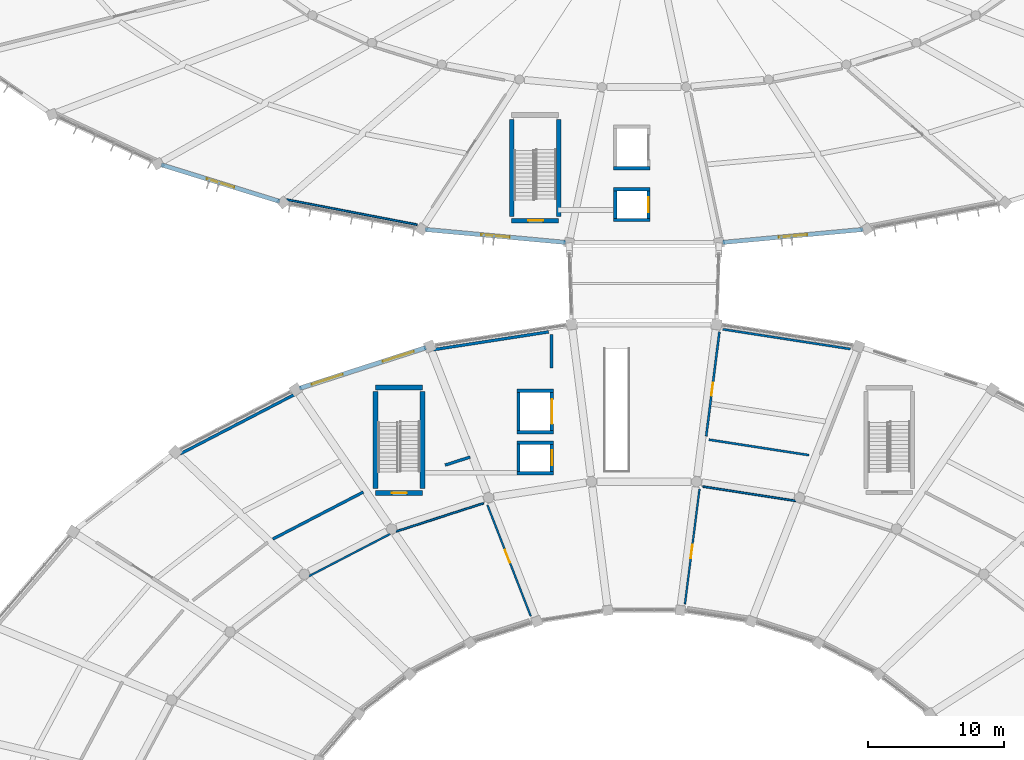
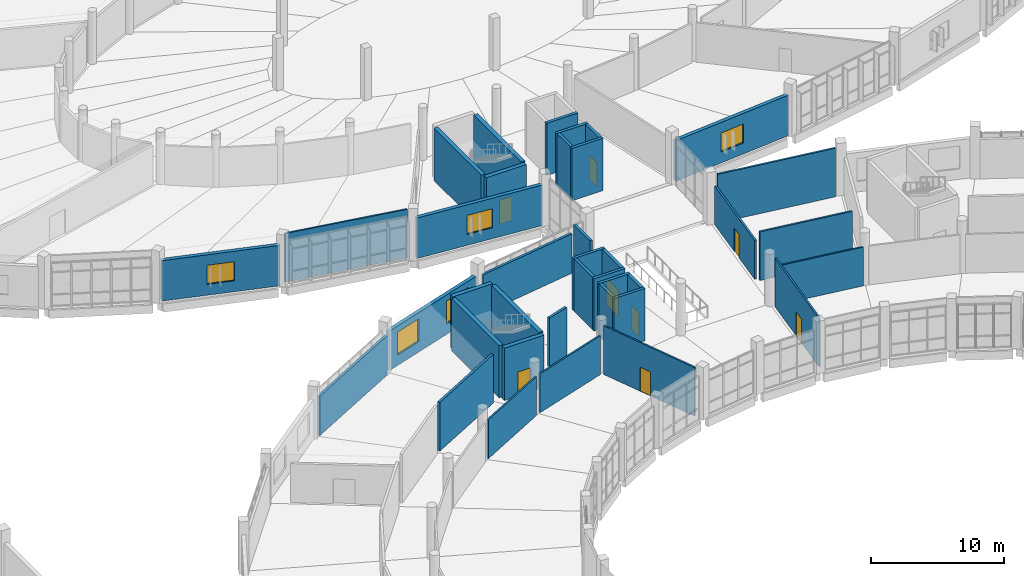
# One storey, part 120 of 179: 38 walls, 8 doors, 5 windows, 13 openings.
"""IFC4 building model written with IfcOpenShell, lengths in metres."""

from ifc_helpers import new_model, si_unit, direction, frame, frame_2d, origin, place, context, subcontext, project, spatial, rectangle, extrude, material, layer, layer_set, type_object, element, fill, save


model = new_model("IFC4")

# Units and contexts
model_context = context("Model", 3, precision=1e-05, world=origin(), true_north=direction((0.0, 1.0)))
body_context = subcontext(model_context, "Body", "Model", "MODEL_VIEW")
ifc_project = project(units=[si_unit("LENGTHUNIT", "METRE"), si_unit("AREAUNIT", "SQUARE_METRE"), si_unit("VOLUMEUNIT", "CUBIC_METRE"), si_unit("PLANEANGLEUNIT", "RADIAN"), si_unit("MASSUNIT", "GRAM", prefix="KILO")], contexts=[model_context])

# Site, building, storey
site_placement = place(None, origin())
site = spatial("IfcSite", under=ifc_project, at=site_placement, CompositionType="ELEMENT")
building_placement = place(site_placement, origin())
building = spatial("IfcBuilding", under=site, at=building_placement, Name="Corvandel Quay Wholesale Market", CompositionType="ELEMENT")
storey_placement = place(building_placement, frame((0.0, 0.0, 6.0)))
storey = spatial("IfcBuildingStorey", under=building, at=storey_placement, Name="L01", CompositionType="ELEMENT", Elevation=6.0)

# Wall, opening, door
ifc_material_1 = material(Name="Concrete C40/50", Category="concrete")
ifc_layer_1 = layer(ifc_material_1, 0.35009765625)
ifc_layer_set_1 = layer_set([ifc_layer_1], Name="Concrete C40/50")
wall_type_1 = type_object("IfcWallType", Name="Core Shear Wall SW01 350", PredefinedType="SHEAR", material=ifc_layer_set_1)
wall_1_placement = place(storey_placement, frame((94.27490234375, 71.625, 0.0), z_axis=(0.0, 0.0, 1.0), x_axis=(1.0, 0.0, 0.0)))
wall_1 = element("IfcWall", 1, at=wall_1_placement, inside=storey, type_object=wall_type_1, Name="Shear Wall IW-0005", PredefinedType="SHEAR", context=body_context, shape_type="SweptSolid", body=[
    extrude(rectangle(XDim=3.4501953125, YDim=0.35009765625, at=frame_2d((1.72509765625, 0.0))), origin(), (0.0, 0.0, 1.0), 4.800048828125),
])
opening_1_placement = place(wall_1_placement, frame((1.199951171875, 0.0, 0.0)))
opening_1 = element("IfcOpeningElement", 2, at=opening_1_placement, cuts=wall_1, Name="Opening L01-D002", PredefinedType="OPENING", context=body_context, shape_type="SweptSolid", body=[
    extrude(rectangle(XDim=1.10009765625, YDim=2.199951171875, at=frame_2d((0.550048828125, 1.10009765625))), frame((0.0, 0.18505859375, 0.0), z_axis=(0.0, -1.0, 0.0), x_axis=(1.0, 0.0, 0.0)), (0.0, 0.0, 1.0), 0.3701171875),
])
ifc_material_2 = material(Name="Galvanised fire-rated hollow steel", Category="steel")
door_type_1 = type_object("IfcDoorType", Name="Exit Stair Fire Door ID02 1100x2200R", OperationType="SINGLE_SWING_RIGHT", PredefinedType="DOOR", material=ifc_material_2)
door_1_placement = place(opening_1_placement, origin())
door_1 = element("IfcDoor", 3, at=door_1_placement, inside=storey, type_object=door_type_1, Name="Exit Stair Door SH01-L01", OperationType="SINGLE_SWING_RIGHT", OverallHeight=2.199951171875, OverallWidth=1.10009765625, PredefinedType="DOOR", context=body_context, shape_type="SweptSolid", body=[
    extrude(rectangle(XDim=1.10009765625, YDim=2.199951171875, at=frame_2d((0.550048828125, 1.10009765625))), frame((0.0, 0.02490234375, 0.0), z_axis=(0.0, -1.0, 0.0), x_axis=(1.0, 0.0, 0.0)), (0.0, 0.0, 1.0), 0.050048828125),
])
fill(opening_1, door_1)

# Walls
wall_2_placement = place(storey_placement, frame((94.27490234375, 79.375, 0.0), z_axis=(0.0, 0.0, 1.0), x_axis=(1.0, 0.0, 0.0)))
element("IfcWall", 4, at=wall_2_placement, inside=storey, type_object=wall_type_1, Name="Shear Wall IW-0006", PredefinedType="SHEAR", context=body_context, shape_type="SweptSolid", body=[
    extrude(rectangle(XDim=3.4501953125, YDim=0.35009765625, at=frame_2d((1.72509765625, 0.0))), origin(), (0.0, 0.0, 1.0), 4.800048828125),
])
for number, where, z_axis, x_axis, name in (
    (5, (94.27490234375, 71.93994140625, 0.0), (0.0, 0.0, 1.0), (0.0, 1.0, 0.0), "Shear Wall IW-0007"),
    (6, (97.72509765625, 71.93994140625, 0.0), (0.0, 0.0, 1.0), (0.0, 1.0, 0.0), "Shear Wall IW-0008"),
):
    element("IfcWall", number, at=place(storey_placement, frame(where, z_axis=z_axis, x_axis=x_axis)), inside=storey, type_object=wall_type_1, Name=name, PredefinedType="SHEAR", context=body_context, shape_type="SweptSolid", body=[
        extrude(rectangle(XDim=7.1201171875, YDim=0.35009765625, at=frame_2d((3.56005859375, 0.0))), origin(), (0.0, 0.0, 1.0), 4.800048828125),
    ])

# Wall, opening, door
wall_3_placement = place(storey_placement, frame((104.27490234375, 91.625, 0.0), z_axis=(0.0, 0.0, 1.0), x_axis=(1.0, 0.0, 0.0)))
wall_3 = element("IfcWall", 7, at=wall_3_placement, inside=storey, type_object=wall_type_1, Name="Shear Wall IW-0053", PredefinedType="SHEAR", context=body_context, shape_type="SweptSolid", body=[
    extrude(rectangle(XDim=3.4501953125, YDim=0.35009765625, at=frame_2d((1.72509765625, 0.0))), origin(), (0.0, 0.0, 1.0), 4.800048828125),
])
opening_2_placement = place(wall_3_placement, frame((1.199951171875, 0.0, 0.0)))
opening_2 = element("IfcOpeningElement", 8, at=opening_2_placement, cuts=wall_3, Name="Opening L01-D006", PredefinedType="OPENING", context=body_context, shape_type="SweptSolid", body=[
    extrude(rectangle(XDim=1.10009765625, YDim=2.199951171875, at=frame_2d((0.550048828125, 1.10009765625))), frame((0.0, 0.18505859375, 0.0), z_axis=(0.0, -1.0, 0.0), x_axis=(1.0, 0.0, 0.0)), (0.0, 0.0, 1.0), 0.3701171875),
])
door_2_placement = place(opening_2_placement, origin())
door_2 = element("IfcDoor", 9, at=door_2_placement, inside=storey, type_object=door_type_1, Name="Exit Stair Door SH05-L01", OperationType="SINGLE_SWING_RIGHT", OverallHeight=2.199951171875, OverallWidth=1.10009765625, PredefinedType="DOOR", context=body_context, shape_type="SweptSolid", body=[
    extrude(rectangle(XDim=1.10009765625, YDim=2.199951171875, at=frame_2d((0.550048828125, 1.10009765625))), frame((0.0, 0.02490234375, 0.0), z_axis=(0.0, -1.0, 0.0), x_axis=(1.0, 0.0, 0.0)), (0.0, 0.0, 1.0), 0.050048828125),
])
fill(opening_2, door_2)

# Walls
for number, where, z_axis, x_axis, name in (
    (10, (104.27490234375, 91.93994140625, 0.0), (0.0, 0.0, 1.0), (0.0, 1.0, 0.0), "Shear Wall IW-0055"),
    (11, (107.72509765625, 91.93994140625, 0.0), (0.0, 0.0, 1.0), (0.0, 1.0, 0.0), "Shear Wall IW-0056"),
):
    element("IfcWall", number, at=place(storey_placement, frame(where, z_axis=z_axis, x_axis=x_axis)), inside=storey, type_object=wall_type_1, Name=name, PredefinedType="SHEAR", context=body_context, shape_type="SweptSolid", body=[
        extrude(rectangle(XDim=7.1201171875, YDim=0.35009765625, at=frame_2d((3.56005859375, 0.0))), origin(), (0.0, 0.0, 1.0), 4.800048828125),
    ])
ifc_material_3 = material(Name="Gypsum-clad steel stud framing", Category="steel")
ifc_layer_2 = layer(ifc_material_3, 0.2099609375)
ifc_layer_set_2 = layer_set([ifc_layer_2], Name="Gypsum-clad steel stud framing")
wall_type_2 = type_object("IfcWallType", Name="Corridor Rated Partition PT02 210", PredefinedType="PARTITIONING", material=ifc_layer_set_2)
wall_4_placement = place(storey_placement, frame((79.92431640625, 74.488525390625, 0.0), z_axis=(0.0, 0.0, 1.0), x_axis=(0.887294814005, 0.461202681084, 0.0)))
element("IfcWall", 12, at=wall_4_placement, inside=storey, type_object=wall_type_2, Name="Interior Wall IW-0453", PredefinedType="PARTITIONING", context=body_context, shape_type="SweptSolid", body=[
    extrude(rectangle(XDim=9.4775390625, YDim=0.2099609375, at=frame_2d((4.73876953125, 0.0))), origin(), (0.0, 0.0, 1.0), 3.610107421875),
])
wall_5_placement = place(storey_placement, frame((98.531494140625, 82.146484375, 0.0), z_axis=(0.0, 0.0, 1.0), x_axis=(0.988246425199, 0.152869235234, 0.0)))
element("IfcWall", 13, at=wall_5_placement, inside=storey, type_object=wall_type_2, Name="Interior Wall IW-0454", PredefinedType="PARTITIONING", context=body_context, shape_type="SweptSolid", body=[
    extrude(rectangle(XDim=8.561767578125, YDim=0.2099609375, at=frame_2d((4.28076171875, 0.0))), origin(), (0.0, 0.0, 1.0), 3.610107421875),
])
wall_6_placement = place(storey_placement, frame((107.2099609375, 83.26904296875, 0.0), z_axis=(0.0, 0.0, 1.0), x_axis=(0.0, -1.0, 0.0)))
element("IfcWall", 14, at=wall_6_placement, inside=storey, type_object=wall_type_2, Name="Interior Wall IW-0455", PredefinedType="PARTITIONING", context=body_context, shape_type="SweptSolid", body=[
    extrude(rectangle(XDim=2.47412109375, YDim=0.2099609375, at=frame_2d((1.237060546875, 0.0))), origin(), (0.0, 0.0, 1.0), 4.4599609375),
])
wall_7_placement = place(storey_placement, frame((101.220703125, 74.260498046875, 0.0), z_axis=(0.0, 0.0, 1.0), x_axis=(-0.951935015799, -0.306300058268, 0.0)))
element("IfcWall", 15, at=wall_7_placement, inside=storey, type_object=wall_type_2, Name="Interior Wall IW-0456", PredefinedType="PARTITIONING", context=body_context, shape_type="SweptSolid", body=[
    extrude(rectangle(XDim=1.928955078125, YDim=0.2099609375, at=frame_2d((0.96435546875, 0.0))), origin(), (0.0, 0.0, 1.0), 4.4599609375),
])
wall_8_placement = place(storey_placement, frame((93.372802734375, 71.689453125, 0.0), z_axis=(0.0, 0.0, 1.0), x_axis=(-0.887313324446, -0.461167067623, 0.0)))
element("IfcWall", 16, at=wall_8_placement, inside=storey, type_object=wall_type_2, Name="Interior Wall IW-0457", PredefinedType="PARTITIONING", context=body_context, shape_type="SweptSolid", body=[
    extrude(rectangle(XDim=7.494140625, YDim=0.2099609375, at=frame_2d((3.7470703125, 0.0))), origin(), (0.0, 0.0, 1.0), 4.4599609375),
])

# Wall, opening, window
ifc_material_4 = material(Name="Marine precast concrete C45/55", Category="concrete")
ifc_layer_3 = layer(ifc_material_4, 0.31005859375)
ifc_layer_set_3 = layer_set([ifc_layer_3], Name="Marine precast concrete C45/55")
wall_type_3 = type_object("IfcWallType", Name="Fish Hall Marine Precast Wall EW06 310", PredefinedType="SOLIDWALL", material=ifc_layer_set_3)
wall_9_placement = place(storey_placement, frame((78.53125, 95.73291015625, 0.0), z_axis=(0.0, 0.0, 1.0), x_axis=(0.955105922322, -0.296264539128, 0.0)))
wall_9 = element("IfcWall", 17, at=wall_9_placement, inside=storey, type_object=wall_type_3, Name="Exterior Wall EW-0132", PredefinedType="SOLIDWALL", context=body_context, shape_type="SweptSolid", body=[
    extrude(rectangle(XDim=9.123291015625, YDim=0.31005859375, at=frame_2d((4.5615234375, 0.0))), origin(), (0.0, 0.0, 1.0), 3.7099609375),
])
opening_3_placement = place(wall_9_placement, frame((3.511962890625, 0.0, 1.0)))
opening_3 = element("IfcOpeningElement", 18, at=opening_3_placement, cuts=wall_9, Name="Opening L01-W039", PredefinedType="OPENING", context=body_context, shape_type="SweptSolid", body=[
    extrude(rectangle(XDim=2.10009765625, YDim=1.75, at=frame_2d((1.050048828125, 0.875))), frame((0.0, 0.1650390625, 0.0), z_axis=(0.0, -1.0, 0.0), x_axis=(1.0, 0.0, 0.0)), (0.0, 0.0, 1.0), 0.330078125),
])
ifc_material_5 = material(Name="Thermally broken bronze anodised aluminium and solar-control low-E double glazing", Category="aluminium")
window_type_1 = type_object("IfcWindowType", Name="Seafood Traders Window WN09 2100x1750", PartitioningType="SINGLE_PANEL", PredefinedType="WINDOW", material=ifc_material_5)
window_1_placement = place(opening_3_placement, origin())
window_1 = element("IfcWindow", 19, at=window_1_placement, inside=storey, type_object=window_type_1, Name="Window L01-W039", OverallHeight=1.75, OverallWidth=2.10009765625, PartitioningType="SINGLE_PANEL", PredefinedType="WINDOW", context=body_context, shape_type="SweptSolid", body=[
    extrude(rectangle(XDim=2.10009765625, YDim=1.75, at=frame_2d((1.050048828125, 0.875))), frame((0.0, 0.030029296875, 0.0), z_axis=(0.0, -1.0, 0.0), x_axis=(1.0, 0.0, 0.0)), (0.0, 0.0, 1.0), 0.06005859375),
])
fill(opening_3, window_1)

wall_10_placement = place(storey_placement, frame((97.904052734375, 90.976806640625, 0.0), z_axis=(0.0, 0.0, 1.0), x_axis=(0.995766414187, -0.091919793174, 0.0)))
wall_10 = element("IfcWall", 20, at=wall_10_placement, inside=storey, type_object=wall_type_3, Name="Exterior Wall EW-0136", PredefinedType="SOLIDWALL", context=body_context, shape_type="SweptSolid", body=[
    extrude(rectangle(XDim=10.385009765625, YDim=0.31005859375, at=frame_2d((5.1923828125, 0.0))), origin(), (0.0, 0.0, 1.0), 3.7099609375),
])
opening_4_placement = place(wall_10_placement, frame((4.14208984375, 0.0, 1.0)))
opening_4 = element("IfcOpeningElement", 21, at=opening_4_placement, cuts=wall_10, Name="Opening L01-W040", PredefinedType="OPENING", context=body_context, shape_type="SweptSolid", body=[
    extrude(rectangle(XDim=2.10009765625, YDim=1.75, at=frame_2d((1.050048828125, 0.875))), frame((0.0, 0.1650390625, 0.0), z_axis=(0.0, -1.0, 0.0), x_axis=(1.0, 0.0, 0.0)), (0.0, 0.0, 1.0), 0.330078125),
])
window_2_placement = place(opening_4_placement, origin())
window_2 = element("IfcWindow", 22, at=window_2_placement, inside=storey, type_object=window_type_1, Name="Window L01-W040", OverallHeight=1.75, OverallWidth=2.10009765625, PartitioningType="SINGLE_PANEL", PredefinedType="WINDOW", context=body_context, shape_type="SweptSolid", body=[
    extrude(rectangle(XDim=2.10009765625, YDim=1.75, at=frame_2d((1.050048828125, 0.875))), frame((0.0, 0.030029296875, 0.0), z_axis=(0.0, -1.0, 0.0), x_axis=(1.0, 0.0, 0.0)), (0.0, 0.0, 1.0), 0.06005859375),
])
fill(opening_4, window_2)

wall_11_placement = place(storey_placement, frame((119.7548828125, 90.022216796875, 0.0), z_axis=(0.0, 0.0, 1.0), x_axis=(0.995766414187, 0.091919793174, 0.0)))
wall_11 = element("IfcWall", 23, at=wall_11_placement, inside=storey, type_object=wall_type_3, Name="Exterior Wall EW-0140", PredefinedType="SOLIDWALL", context=body_context, shape_type="SweptSolid", body=[
    extrude(rectangle(XDim=10.385009765625, YDim=0.31005859375, at=frame_2d((5.1923828125, 0.0))), origin(), (0.0, 0.0, 1.0), 3.7099609375),
])
opening_5_placement = place(wall_11_placement, frame((4.14208984375, 0.0, 1.0)))
opening_5 = element("IfcOpeningElement", 24, at=opening_5_placement, cuts=wall_11, Name="Opening L01-W041", PredefinedType="OPENING", context=body_context, shape_type="SweptSolid", body=[
    extrude(rectangle(XDim=2.10009765625, YDim=1.75, at=frame_2d((1.050048828125, 0.875))), frame((0.0, 0.1650390625, 0.0), z_axis=(0.0, -1.0, 0.0), x_axis=(1.0, 0.0, 0.0)), (0.0, 0.0, 1.0), 0.330078125),
])
window_3_placement = place(opening_5_placement, origin())
window_3 = element("IfcWindow", 25, at=window_3_placement, inside=storey, type_object=window_type_1, Name="Window L01-W041", OverallHeight=1.75, OverallWidth=2.10009765625, PartitioningType="SINGLE_PANEL", PredefinedType="WINDOW", context=body_context, shape_type="SweptSolid", body=[
    extrude(rectangle(XDim=2.10009765625, YDim=1.75, at=frame_2d((1.050048828125, 0.875))), frame((0.0, 0.030029296875, 0.0), z_axis=(0.0, -1.0, 0.0), x_axis=(1.0, 0.0, 0.0)), (0.0, 0.0, 1.0), 0.06005859375),
])
fill(opening_5, window_3)

# Walls
ifc_layer_4 = layer(ifc_material_1, 0.25)
ifc_layer_set_4 = layer_set([ifc_layer_4], Name="Concrete C40/50")
wall_type_4 = type_object("IfcWallType", Name="Lift Shaft Shear Wall SW03 250", PredefinedType="SHEAR", material=ifc_layer_set_4)
for number, where, z_axis, x_axis, name in (
    (26, (104.64990234375, 73.074951171875, 0.0), (0.0, 0.0, 1.0), (1.0, 0.0, 0.0), "Shear Wall IW-0245"),
    (27, (104.64990234375, 75.324951171875, 0.0), (0.0, 0.0, 1.0), (1.0, 0.0, 0.0), "Shear Wall IW-0246"),
):
    element("IfcWall", number, at=place(storey_placement, frame(where, z_axis=z_axis, x_axis=x_axis)), inside=storey, type_object=wall_type_4, Name=name, PredefinedType="SHEAR", context=body_context, shape_type="SweptSolid", body=[
        extrude(rectangle(XDim=2.7001953125, YDim=0.25, at=frame_2d((1.35009765625, 0.0))), origin(), (0.0, 0.0, 1.0), 4.800048828125),
    ])
wall_12_placement = place(storey_placement, frame((104.77490234375, 73.18994140625, 0.0), z_axis=(0.0, 0.0, 1.0), x_axis=(0.0, 1.0, 0.0)))
element("IfcWall", 28, at=wall_12_placement, inside=storey, type_object=wall_type_4, Name="Shear Wall IW-0247", PredefinedType="SHEAR", context=body_context, shape_type="SweptSolid", body=[
    extrude(rectangle(XDim=2.02001953125, YDim=0.25, at=frame_2d((1.010009765625, 0.0))), origin(), (0.0, 0.0, 1.0), 4.800048828125),
])

# Wall, opening, door
wall_13_placement = place(storey_placement, frame((107.22509765625, 73.18994140625, 0.0), z_axis=(0.0, 0.0, 1.0), x_axis=(0.0, 1.0, 0.0)))
wall_13 = element("IfcWall", 29, at=wall_13_placement, inside=storey, type_object=wall_type_4, Name="Shear Wall IW-0248", PredefinedType="SHEAR", context=body_context, shape_type="SweptSolid", body=[
    extrude(rectangle(XDim=2.02001953125, YDim=0.25, at=frame_2d((1.010009765625, 0.0))), origin(), (0.0, 0.0, 1.0), 4.800048828125),
])
opening_6_placement = place(wall_13_placement, frame((0.4599609375, 0.0, 0.0)))
opening_6 = element("IfcOpeningElement", 30, at=opening_6_placement, cuts=wall_13, Name="Opening LD-L01-022", PredefinedType="OPENING", context=body_context, shape_type="SweptSolid", body=[
    extrude(rectangle(XDim=1.10009765625, YDim=2.199951171875, at=frame_2d((0.550048828125, 1.10009765625))), frame((0.0, 0.135009765625, 0.0), z_axis=(0.0, -1.0, 0.0), x_axis=(1.0, 0.0, 0.0)), (0.0, 0.0, 1.0), 0.27001953125),
])
ifc_material_6 = material(Name="Brushed stainless steel", Category="steel")
door_type_2 = type_object("IfcDoorType", Name="Passenger Lift Landing Door LD01 1100x2200", OperationType="DOUBLE_DOOR_SLIDING", PredefinedType="DOOR", material=ifc_material_6)
door_3_placement = place(opening_6_placement, origin())
door_3 = element("IfcDoor", 31, at=door_3_placement, inside=storey, type_object=door_type_2, Name="Lift Landing Door LF-V1P1-L01", OperationType="DOUBLE_DOOR_SLIDING", OverallHeight=2.199951171875, OverallWidth=1.10009765625, PredefinedType="DOOR", context=body_context, shape_type="SweptSolid", body=[
    extrude(rectangle(XDim=1.10009765625, YDim=2.199951171875, at=frame_2d((0.550048828125, 1.10009765625))), frame((0.0, 0.02490234375, 0.0), z_axis=(0.0, -1.0, 0.0), x_axis=(1.0, 0.0, 0.0)), (0.0, 0.0, 1.0), 0.050048828125),
])
fill(opening_6, door_3)

# Walls
for number, where, z_axis, x_axis, name in (
    (32, (104.64990234375, 76.074951171875, 0.0), (0.0, 0.0, 1.0), (1.0, 0.0, 0.0), "Shear Wall IW-0257"),
    (33, (104.64990234375, 79.125, 0.0), (0.0, 0.0, 1.0), (1.0, 0.0, 0.0), "Shear Wall IW-0258"),
):
    element("IfcWall", number, at=place(storey_placement, frame(where, z_axis=z_axis, x_axis=x_axis)), inside=storey, type_object=wall_type_4, Name=name, PredefinedType="SHEAR", context=body_context, shape_type="SweptSolid", body=[
        extrude(rectangle(XDim=2.7001953125, YDim=0.25, at=frame_2d((1.35009765625, 0.0))), origin(), (0.0, 0.0, 1.0), 4.800048828125),
    ])
wall_14_placement = place(storey_placement, frame((104.77490234375, 76.18994140625, 0.0), z_axis=(0.0, 0.0, 1.0), x_axis=(0.0, 1.0, 0.0)))
element("IfcWall", 34, at=wall_14_placement, inside=storey, type_object=wall_type_4, Name="Shear Wall IW-0259", PredefinedType="SHEAR", context=body_context, shape_type="SweptSolid", body=[
    extrude(rectangle(XDim=2.820068359375, YDim=0.25, at=frame_2d((1.41015625, 0.0))), origin(), (0.0, 0.0, 1.0), 4.800048828125),
])

# Wall, opening, door
wall_15_placement = place(storey_placement, frame((107.22509765625, 76.18994140625, 0.0), z_axis=(0.0, 0.0, 1.0), x_axis=(0.0, 1.0, 0.0)))
wall_15 = element("IfcWall", 35, at=wall_15_placement, inside=storey, type_object=wall_type_4, Name="Shear Wall IW-0260", PredefinedType="SHEAR", context=body_context, shape_type="SweptSolid", body=[
    extrude(rectangle(XDim=2.820068359375, YDim=0.25, at=frame_2d((1.41015625, 0.0))), origin(), (0.0, 0.0, 1.0), 4.800048828125),
])
opening_7_placement = place(wall_15_placement, frame((0.510009765625, 0.0, 0.0)))
opening_7 = element("IfcOpeningElement", 36, at=opening_7_placement, cuts=wall_15, Name="Opening LD-L01-023", PredefinedType="OPENING", context=body_context, shape_type="SweptSolid", body=[
    extrude(rectangle(XDim=1.800048828125, YDim=2.39990234375, at=frame_2d((0.89990234375, 1.199951171875))), frame((0.0, 0.135009765625, 0.0), z_axis=(0.0, -1.0, 0.0), x_axis=(1.0, 0.0, 0.0)), (0.0, 0.0, 1.0), 0.27001953125),
])
ifc_material_7 = material(Name="Heavy-duty brushed stainless steel", Category="steel")
door_type_3 = type_object("IfcDoorType", Name="Goods Lift Landing Door LD02 1800x2400", OperationType="DOUBLE_DOOR_SLIDING", PredefinedType="DOOR", material=ifc_material_7)
door_4_placement = place(opening_7_placement, origin())
door_4 = element("IfcDoor", 37, at=door_4_placement, inside=storey, type_object=door_type_3, Name="Lift Landing Door LF-V1F1-L01", OperationType="DOUBLE_DOOR_SLIDING", OverallHeight=2.39990234375, OverallWidth=1.800048828125, PredefinedType="DOOR", context=body_context, shape_type="SweptSolid", body=[
    extrude(rectangle(XDim=1.800048828125, YDim=2.39990234375, at=frame_2d((0.89990234375, 1.199951171875))), frame((0.0, 0.02490234375, 0.0), z_axis=(0.0, -1.0, 0.0), x_axis=(1.0, 0.0, 0.0)), (0.0, 0.0, 1.0), 0.050048828125),
])
fill(opening_7, door_4)

# Walls
for number, where, z_axis, x_axis, name in (
    (38, (111.75, 91.675048828125, 0.0), (0.0, 0.0, 1.0), (1.0, 0.0, 0.0), "Shear Wall IW-0269"),
    (39, (111.75, 93.925048828125, 0.0), (0.0, 0.0, 1.0), (1.0, 0.0, 0.0), "Shear Wall IW-0270"),
):
    element("IfcWall", number, at=place(storey_placement, frame(where, z_axis=z_axis, x_axis=x_axis)), inside=storey, type_object=wall_type_4, Name=name, PredefinedType="SHEAR", context=body_context, shape_type="SweptSolid", body=[
        extrude(rectangle(XDim=2.699951171875, YDim=0.25, at=frame_2d((1.35009765625, 0.0))), origin(), (0.0, 0.0, 1.0), 4.800048828125),
    ])
wall_16_placement = place(storey_placement, frame((111.875, 91.7900390625, 0.0), z_axis=(0.0, 0.0, 1.0), x_axis=(0.0, 1.0, 0.0)))
element("IfcWall", 40, at=wall_16_placement, inside=storey, type_object=wall_type_4, Name="Shear Wall IW-0271", PredefinedType="SHEAR", context=body_context, shape_type="SweptSolid", body=[
    extrude(rectangle(XDim=2.02001953125, YDim=0.25, at=frame_2d((1.010009765625, 0.0))), origin(), (0.0, 0.0, 1.0), 4.800048828125),
])

# Wall, opening, door
wall_17_placement = place(storey_placement, frame((114.324951171875, 91.7900390625, 0.0), z_axis=(0.0, 0.0, 1.0), x_axis=(0.0, 1.0, 0.0)))
wall_17 = element("IfcWall", 41, at=wall_17_placement, inside=storey, type_object=wall_type_4, Name="Shear Wall IW-0272", PredefinedType="SHEAR", context=body_context, shape_type="SweptSolid", body=[
    extrude(rectangle(XDim=2.02001953125, YDim=0.25, at=frame_2d((1.010009765625, 0.0))), origin(), (0.0, 0.0, 1.0), 4.800048828125),
])
opening_8_placement = place(wall_17_placement, frame((0.4599609375, 0.0, 0.0)))
opening_8 = element("IfcOpeningElement", 42, at=opening_8_placement, cuts=wall_17, Name="Opening LD-L01-024", PredefinedType="OPENING", context=body_context, shape_type="SweptSolid", body=[
    extrude(rectangle(XDim=1.10009765625, YDim=2.199951171875, at=frame_2d((0.550048828125, 1.10009765625))), frame((0.0, 0.135009765625, 0.0), z_axis=(0.0, -1.0, 0.0), x_axis=(1.0, 0.0, 0.0)), (0.0, 0.0, 1.0), 0.27001953125),
])
door_5_placement = place(opening_8_placement, origin())
door_5 = element("IfcDoor", 43, at=door_5_placement, inside=storey, type_object=door_type_2, Name="Lift Landing Door LF-V2P1-L01", OperationType="DOUBLE_DOOR_SLIDING", OverallHeight=2.199951171875, OverallWidth=1.10009765625, PredefinedType="DOOR", context=body_context, shape_type="SweptSolid", body=[
    extrude(rectangle(XDim=1.10009765625, YDim=2.199951171875, at=frame_2d((0.550048828125, 1.10009765625))), frame((0.0, 0.02490234375, 0.0), z_axis=(0.0, -1.0, 0.0), x_axis=(1.0, 0.0, 0.0)), (0.0, 0.0, 1.0), 0.050048828125),
])
fill(opening_8, door_5)

# Wall
wall_18_placement = place(storey_placement, frame((111.75, 95.47509765625, 0.0), z_axis=(0.0, 0.0, 1.0), x_axis=(1.0, 0.0, 0.0)))
element("IfcWall", 44, at=wall_18_placement, inside=storey, type_object=wall_type_4, Name="Shear Wall IW-0281", PredefinedType="SHEAR", context=body_context, shape_type="SweptSolid", body=[
    extrude(rectangle(XDim=2.699951171875, YDim=0.25, at=frame_2d((1.35009765625, 0.0))), origin(), (0.0, 0.0, 1.0), 4.800048828125),
])

# Wall, opening, door
ifc_material_8 = material(Name="Double-layer acoustic gypsum stud partition")
ifc_layer_5 = layer(ifc_material_8, 0.139892578125)
ifc_layer_set_5 = layer_set([ifc_layer_5], Name="Double-layer acoustic gypsum stud partition")
wall_type_5 = type_object("IfcWallType", Name="Office Acoustic Partition PT07 140", PredefinedType="PARTITIONING", material=ifc_layer_set_5)
wall_19_placement = place(storey_placement, frame((116.998779296875, 63.453369140625, 0.0), z_axis=(0.0, 0.0, 1.0), x_axis=(0.125694717308, 0.992068968389, 0.0)))
wall_19 = element("IfcWall", 45, at=wall_19_placement, inside=storey, type_object=wall_type_5, Name="Interior Wall IW-0496", PredefinedType="PARTITIONING", context=body_context, shape_type="SweptSolid", body=[
    extrude(rectangle(XDim=8.52490234375, YDim=0.139892578125, at=frame_2d((4.262451171875, 0.0))), origin(), (0.0, 0.0, 1.0), 4.4599609375),
])
opening_9_placement = place(wall_19_placement, frame((3.4130859375, 0.0, 0.0)))
opening_9 = element("IfcOpeningElement", 46, at=opening_9_placement, cuts=wall_19, Name="Opening L01-D038", PredefinedType="OPENING", context=body_context, shape_type="SweptSolid", body=[
    extrude(rectangle(XDim=1.0, YDim=2.199951171875, at=frame_2d((0.5, 1.10009765625))), frame((0.0, 0.079833984375, 0.0), z_axis=(0.0, -1.0, 0.0), x_axis=(1.0, 0.0, 0.0)), (0.0, 0.0, 1.0), 0.159912109375),
])
ifc_material_9 = material(Name="Stained oak solid-core acoustic timber", Category="wood")
door_type_4 = type_object("IfcDoorType", Name="Office Entry Door ID10 1000x2200R", OperationType="SINGLE_SWING_RIGHT", PredefinedType="DOOR", material=ifc_material_9)
door_6_placement = place(opening_9_placement, origin())
door_6 = element("IfcDoor", 47, at=door_6_placement, inside=storey, type_object=door_type_4, Name="Upper Produce Sorting Gallery NorthEast Door", OperationType="SINGLE_SWING_RIGHT", OverallHeight=2.199951171875, OverallWidth=1.0, PredefinedType="DOOR", context=body_context, shape_type="SweptSolid", body=[
    extrude(rectangle(XDim=1.0, YDim=2.199951171875, at=frame_2d((0.5, 1.10009765625))), frame((0.0, 0.02490234375, 0.0), z_axis=(0.0, -1.0, 0.0), x_axis=(1.0, 0.0, 0.0)), (0.0, 0.0, 1.0), 0.050048828125),
])
fill(opening_9, door_6)

# Walls
wall_20_placement = place(storey_placement, frame((118.3154296875, 72.095458984375, 0.0), z_axis=(0.0, 0.0, 1.0), x_axis=(0.988254885125, -0.152814534735, 0.0)))
element("IfcWall", 48, at=wall_20_placement, inside=storey, type_object=wall_type_5, Name="Interior Wall IW-0497", PredefinedType="PARTITIONING", context=body_context, shape_type="SweptSolid", body=[
    extrude(rectangle(XDim=6.9033203125, YDim=0.139892578125, at=frame_2d((3.45166015625, 0.0))), origin(), (0.0, 0.0, 1.0), 3.56005859375),
])
wall_21_placement = place(storey_placement, frame((89.39013671875, 65.5166015625, 0.0), z_axis=(0.0, 0.0, 1.0), x_axis=(0.887339573657, 0.461116559041, 0.0)))
element("IfcWall", 49, at=wall_21_placement, inside=storey, type_object=wall_type_5, Name="Interior Wall IW-0510", PredefinedType="PARTITIONING", context=body_context, shape_type="SweptSolid", body=[
    extrude(rectangle(XDim=6.73779296875, YDim=0.139892578125, at=frame_2d((3.368896484375, 0.0))), origin(), (0.0, 0.0, 1.0), 3.56005859375),
])
wall_22_placement = place(storey_placement, frame((95.7734375, 68.79248046875, 0.0), z_axis=(0.0, 0.0, 1.0), x_axis=(0.951789962688, 0.306750496211, 0.0)))
element("IfcWall", 50, at=wall_22_placement, inside=storey, type_object=wall_type_5, Name="Interior Wall IW-0511", PredefinedType="PARTITIONING", context=body_context, shape_type="SweptSolid", body=[
    extrude(rectangle(XDim=6.7578125, YDim=0.139892578125, at=frame_2d((3.37890625, 0.0))), origin(), (0.0, 0.0, 1.0), 3.56005859375),
])

# Wall, opening, door
wall_23_placement = place(storey_placement, frame((102.494873046875, 70.72802734375, 0.0), z_axis=(0.0, 0.0, 1.0), x_axis=(0.363316951301, -0.931665601435, 0.0)))
wall_23 = element("IfcWall", 51, at=wall_23_placement, inside=storey, type_object=wall_type_5, Name="Interior Wall IW-0512", PredefinedType="PARTITIONING", context=body_context, shape_type="SweptSolid", body=[
    extrude(rectangle(XDim=8.753173828125, YDim=0.139892578125, at=frame_2d((4.37646484375, 0.0))), origin(), (0.0, 0.0, 1.0), 4.4599609375),
])
opening_10_placement = place(wall_23_placement, frame((3.527099609375, 0.0, 0.0)))
opening_10 = element("IfcOpeningElement", 52, at=opening_10_placement, cuts=wall_23, Name="Opening L01-D039", PredefinedType="OPENING", context=body_context, shape_type="SweptSolid", body=[
    extrude(rectangle(XDim=1.0, YDim=2.199951171875, at=frame_2d((0.5, 1.10009765625))), frame((0.0, 0.079833984375, 0.0), z_axis=(0.0, -1.0, 0.0), x_axis=(1.0, 0.0, 0.0)), (0.0, 0.0, 1.0), 0.159912109375),
])
door_7_placement = place(opening_10_placement, origin())
door_7 = element("IfcDoor", 53, at=door_7_placement, inside=storey, type_object=door_type_4, Name="Upper Produce Sorting Gallery NorthWest Door", OperationType="SINGLE_SWING_RIGHT", OverallHeight=2.199951171875, OverallWidth=1.0, PredefinedType="DOOR", context=body_context, shape_type="SweptSolid", body=[
    extrude(rectangle(XDim=1.0, YDim=2.199951171875, at=frame_2d((0.5, 1.10009765625))), frame((0.0, 0.02490234375, 0.0), z_axis=(0.0, -1.0, 0.0), x_axis=(1.0, 0.0, 0.0)), (0.0, 0.0, 1.0), 0.050048828125),
])
fill(opening_10, door_7)

# Wall
wall_24_placement = place(storey_placement, frame((97.326904296875, 91.32861328125, 0.0), z_axis=(0.0, 0.0, 1.0), x_axis=(-0.981994120718, 0.188911478942, 0.0)))
element("IfcWall", 54, at=wall_24_placement, inside=storey, type_object=wall_type_5, Name="Interior Wall IW-0649", PredefinedType="PARTITIONING", context=body_context, shape_type="SweptSolid", body=[
    extrude(rectangle(XDim=9.74951171875, YDim=0.139892578125, at=frame_2d((4.874755859375, 0.0))), origin(), (0.0, 0.0, 1.0), 4.4599609375),
])

# Wall, openings, windows
ifc_material_10 = material(Name="Buff-pigmented precast concrete C45/55", Category="concrete")
ifc_layer_6 = layer(ifc_material_10, 0.320068359375)
ifc_layer_set_6 = layer_set([ifc_layer_6], Name="Buff-pigmented precast concrete C45/55")
wall_type_6 = type_object("IfcWallType", Name="Sandstone Buff Precast Wall EW02 320", PredefinedType="SOLIDWALL", material=ifc_layer_set_6)
wall_25_placement = place(storey_placement, frame((97.991943359375, 82.30322265625, 0.0), z_axis=(0.0, 0.0, 1.0), x_axis=(-0.95182847269, -0.30663098111, 0.0)))
wall_25 = element("IfcWall", 55, at=wall_25_placement, inside=storey, type_object=wall_type_6, Name="Exterior Wall EW-0026", PredefinedType="SOLIDWALL", context=body_context, shape_type="SweptSolid", body=[
    extrude(rectangle(XDim=9.785400390625, YDim=0.320068359375, at=frame_2d((4.892578125, 0.0))), origin(), (0.0, 0.0, 1.0), 3.610107421875),
])
opening_11_placement = place(wall_25_placement, frame((0.949951171875, 0.0, 0.949951171875)))
opening_11 = element("IfcOpeningElement", 56, at=opening_11_placement, cuts=wall_25, Name="Opening L01-W007", PredefinedType="OPENING", context=body_context, shape_type="SweptSolid", body=[
    extrude(rectangle(XDim=2.39990234375, YDim=2.10009765625, at=frame_2d((1.199951171875, 1.050048828125))), frame((0.0, 0.169921875, 0.0), z_axis=(0.0, -1.0, 0.0), x_axis=(1.0, 0.0, 0.0)), (0.0, 0.0, 1.0), 0.340087890625),
])
opening_12_placement = place(wall_25_placement, frame((6.43505859375, 0.0, 0.949951171875)))
opening_12 = element("IfcOpeningElement", 57, at=opening_12_placement, cuts=wall_25, Name="Opening L01-W008", PredefinedType="OPENING", context=body_context, shape_type="SweptSolid", body=[
    extrude(rectangle(XDim=2.39990234375, YDim=2.10009765625, at=frame_2d((1.199951171875, 1.050048828125))), frame((0.0, 0.169921875, 0.0), z_axis=(0.0, -1.0, 0.0), x_axis=(1.0, 0.0, 0.0)), (0.0, 0.0, 1.0), 0.340087890625),
])
window_type_2 = type_object("IfcWindowType", Name="Produce Gallery Punched Window WN02 2400x2100", PartitioningType="SINGLE_PANEL", PredefinedType="WINDOW", material=ifc_material_5)
window_4_placement = place(opening_11_placement, origin())
window_4 = element("IfcWindow", 58, at=window_4_placement, inside=storey, type_object=window_type_2, Name="Window L01-W007", OverallHeight=2.10009765625, OverallWidth=2.39990234375, PartitioningType="SINGLE_PANEL", PredefinedType="WINDOW", context=body_context, shape_type="SweptSolid", body=[
    extrude(rectangle(XDim=2.39990234375, YDim=2.10009765625, at=frame_2d((1.199951171875, 1.050048828125))), frame((0.0, 0.030029296875, 0.0), z_axis=(0.0, -1.0, 0.0), x_axis=(1.0, 0.0, 0.0)), (0.0, 0.0, 1.0), 0.06005859375),
])
fill(opening_11, window_4)
window_5_placement = place(opening_12_placement, origin())
window_5 = element("IfcWindow", 59, at=window_5_placement, inside=storey, type_object=window_type_2, Name="Window L01-W008", OverallHeight=2.10009765625, OverallWidth=2.39990234375, PartitioningType="SINGLE_PANEL", PredefinedType="WINDOW", context=body_context, shape_type="SweptSolid", body=[
    extrude(rectangle(XDim=2.39990234375, YDim=2.10009765625, at=frame_2d((1.199951171875, 1.050048828125))), frame((0.0, 0.030029296875, 0.0), z_axis=(0.0, -1.0, 0.0), x_axis=(1.0, 0.0, 0.0)), (0.0, 0.0, 1.0), 0.06005859375),
])
fill(opening_12, window_5)

# Wall
ifc_material_11 = material(Name="Moisture-resistant tile-backer partition")
ifc_layer_7 = layer(ifc_material_11, 0.159912109375)
ifc_layer_set_7 = layer_set([ifc_layer_7], Name="Moisture-resistant tile-backer partition")
wall_type_7 = type_object("IfcWallType", Name="Sanitary Tile Partition PT06 160", PredefinedType="PARTITIONING", material=ifc_layer_set_7)
wall_26_placement = place(storey_placement, frame((126.106689453125, 74.401611328125, 0.0), z_axis=(0.0, 0.0, 1.0), x_axis=(-0.988247744527, 0.152860705994, 0.0)))
element("IfcWall", 60, at=wall_26_placement, inside=storey, type_object=wall_type_7, Name="Interior Wall IW-0450", PredefinedType="PARTITIONING", context=body_context, shape_type="SweptSolid", body=[
    extrude(rectangle(XDim=7.442626953125, YDim=0.159912109375, at=frame_2d((3.72119140625, 0.0))), origin(), (0.0, 0.0, 1.0), 4.4599609375),
])

# Wall, opening, door
wall_27_placement = place(storey_placement, frame((118.561767578125, 75.791259765625, 0.0), z_axis=(0.0, 0.0, 1.0), x_axis=(0.125659269536, 0.992073458963, 0.0)))
wall_27 = element("IfcWall", 61, at=wall_27_placement, inside=storey, type_object=wall_type_7, Name="Interior Wall IW-0451", PredefinedType="PARTITIONING", context=body_context, shape_type="SweptSolid", body=[
    extrude(rectangle(XDim=7.730712890625, YDim=0.159912109375, at=frame_2d((3.865234375, 0.0))), origin(), (0.0, 0.0, 1.0), 3.56005859375),
])
opening_13_placement = place(wall_27_placement, frame((3.014892578125, 0.0, 0.0)))
opening_13 = element("IfcOpeningElement", 62, at=opening_13_placement, cuts=wall_27, Name="Opening L01-D032", PredefinedType="OPENING", context=body_context, shape_type="SweptSolid", body=[
    extrude(rectangle(XDim=0.949951171875, YDim=2.14990234375, at=frame_2d((0.47509765625, 1.074951171875))), frame((0.0, 0.08984375, 0.0), z_axis=(0.0, -1.0, 0.0), x_axis=(1.0, 0.0, 0.0)), (0.0, 0.0, 1.0), 0.179931640625),
])
ifc_material_12 = material(Name="Moisture-resistant HPL solid core")
door_type_5 = type_object("IfcDoorType", Name="Accessible Restroom Door ID14 950x2150R", OperationType="SINGLE_SWING_RIGHT", PredefinedType="DOOR", material=ifc_material_12)
door_8_placement = place(opening_13_placement, origin())
door_8 = element("IfcDoor", 63, at=door_8_placement, inside=storey, type_object=door_type_5, Name="Public Accessible Toilet and Restroom V1 L01 Door", OperationType="SINGLE_SWING_RIGHT", OverallHeight=2.14990234375, OverallWidth=0.949951171875, PredefinedType="DOOR", context=body_context, shape_type="SweptSolid", body=[
    extrude(rectangle(XDim=0.949951171875, YDim=2.14990234375, at=frame_2d((0.47509765625, 1.074951171875))), frame((0.0, 0.02490234375, 0.0), z_axis=(0.0, -1.0, 0.0), x_axis=(1.0, 0.0, 0.0)), (0.0, 0.0, 1.0), 0.050048828125),
])
fill(opening_13, door_8)

# Wall
wall_28_placement = place(storey_placement, frame((119.7783203125, 83.6455078125, 0.0), z_axis=(0.0, 0.0, 1.0), x_axis=(0.988246599565, -0.152868108018, 0.0)))
element("IfcWall", 64, at=wall_28_placement, inside=storey, type_object=wall_type_7, Name="Interior Wall IW-0452", PredefinedType="PARTITIONING", context=body_context, shape_type="SweptSolid", body=[
    extrude(rectangle(XDim=9.478515625, YDim=0.159912109375, at=frame_2d((4.7392578125, 0.0))), origin(), (0.0, 0.0, 1.0), 4.4599609375),
])

save(model, "model.ifc")
